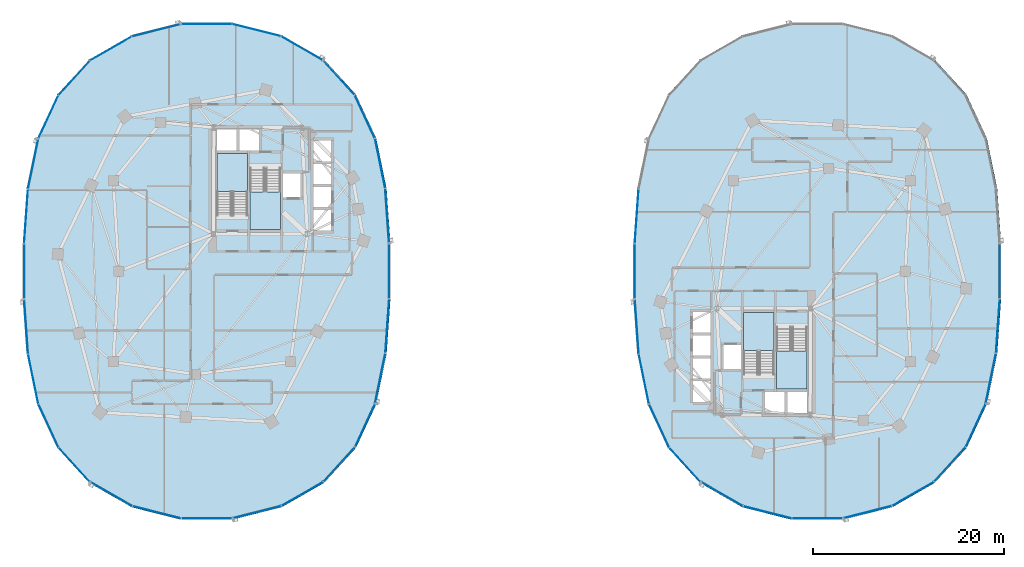
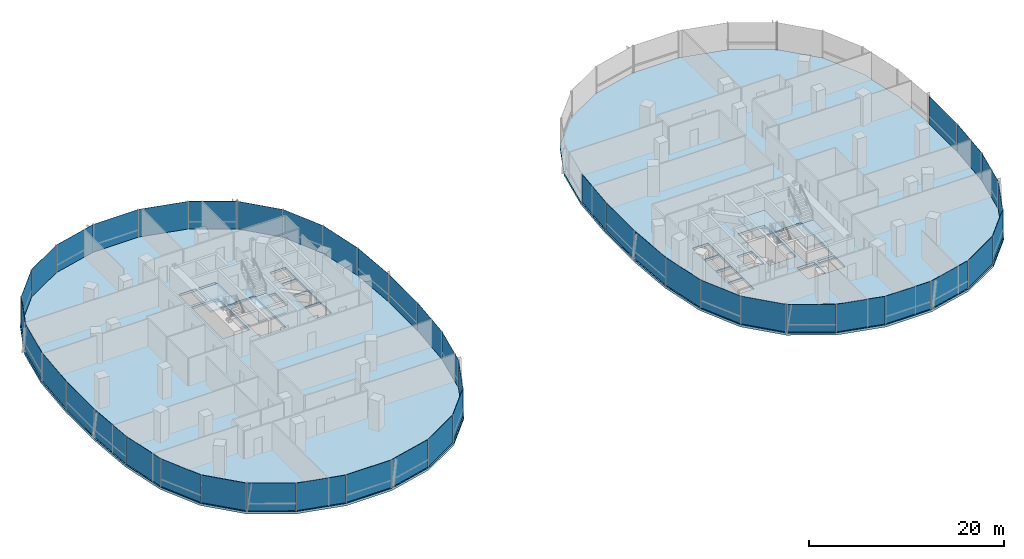
# One storey, part 9 of 22: 44 plates, 6 slabs, 11 elements without a shape of their own.
"""IFC4 building model written with IfcOpenShell, lengths in metres."""

from ifc_helpers import new_model, si_unit, direction, frame, origin, origin_2d, place, context, subcontext, project, spatial, polyline, rectangle, outline, extrude, material, layer, layer_set, type_object, element, aggregate, save


model = new_model("IFC4")

# Units and contexts
model_context = context("Model", 3, precision=1e-05, world=origin(), true_north=direction((0.0, 1.0)))
body_context = subcontext(model_context, "Body", "Model", "MODEL_VIEW")
ifc_project = project(units=[si_unit("LENGTHUNIT", "METRE"), si_unit("AREAUNIT", "SQUARE_METRE"), si_unit("VOLUMEUNIT", "CUBIC_METRE"), si_unit("PLANEANGLEUNIT", "RADIAN"), si_unit("MASSUNIT", "GRAM", prefix="KILO"), si_unit("THERMODYNAMICTEMPERATUREUNIT", "KELVIN"), si_unit("POWERUNIT", "WATT")], contexts=[model_context])

# Site, building, storey
site_placement = place(None, origin())
site = spatial("IfcSite", under=ifc_project, at=site_placement, CompositionType="ELEMENT")
building_placement = place(site_placement, origin())
building = spatial("IfcBuilding", under=site, at=building_placement, Name="Cundina Bronze Exchange", CompositionType="ELEMENT")
storey_placement = place(building_placement, frame((0.0, 0.0, 43.0)))
storey = spatial("IfcBuildingStorey", under=building, at=storey_placement, Name="L10", CompositionType="ELEMENT", Elevation=43.0)

# Curtain wall, plates
ifc_material_1 = material(Name="Anodised Bronze Aluminium 6063-T6", Category="aluminium")
curtain_wall_type = type_object("IfcCurtainWallType", Name="CWS-TRD-LOW", PredefinedType="NOTDEFINED", material=ifc_material_1)
curtain_wall_1_placement = place(storey_placement, origin())
curtain_wall_1 = element("IfcCurtainWall", 1, at=curtain_wall_1_placement, inside=storey, type_object=curtain_wall_type, Name="L10 CW-02 Curtain Wall Run CWR-L10-W1", PredefinedType="NOTDEFINED")
ifc_material_2 = material(Name="Heat-Strengthened Solar-Control Bronze Safety Glass 28mm", Category="glass")
ifc_layer_1 = layer(ifc_material_2, 0.028076171875, Name="Heat-Strengthened Solar-Control Bronze Safety Glass 28mm", Category="glass")
ifc_layer_set_1 = layer_set([ifc_layer_1], Name="Heat-Strengthened Solar-Control Bronze Safety Glass 28mm")
plate_type_1 = type_object("IfcPlateType", Name="PLT-GLZ-VIS28", PredefinedType="CURTAIN_PANEL", material=ifc_layer_set_1)
plate_1_placement = place(storey_placement, frame((-13.0732421875, 5.783935546875, 0.02001953125), z_axis=(0.0, 0.0, 1.0), x_axis=(-0.070278787473, 0.997527389113, 0.0)))
plate_1 = element("IfcPlate", 2, at=plate_1_placement, type_object=plate_type_1, Name="CW-02 Glazed Panel 1", PredefinedType="CURTAIN_PANEL", context=body_context, shape_type="SweptSolid", body=[
    extrude(rectangle(XDim=5.644287109375, YDim=0.028076171875, at=origin_2d()), origin(), (0.0, 0.0, 1.0), 3.4599609375),
])
plate_2_placement = place(storey_placement, frame((-13.81591796875, 11.269775390625, 0.02001953125), z_axis=(0.0, 0.0, 1.0), x_axis=(-0.201419845156, 0.979505000486, 0.0)))
plate_2 = element("IfcPlate", 3, at=plate_2_placement, type_object=plate_type_1, Name="CW-02 Glazed Panel 2", PredefinedType="CURTAIN_PANEL", context=body_context, shape_type="SweptSolid", body=[
    extrude(rectangle(XDim=5.306640625, YDim=0.028076171875, at=origin_2d()), origin(), (0.0, 0.0, 1.0), 3.4599609375),
])
plate_3_placement = place(storey_placement, frame((-15.413818359375, 16.177734375, 0.02001953125), z_axis=(0.0, 0.0, 1.0), x_axis=(-0.42084583328, 0.907132175932, 0.0)))
plate_3 = element("IfcPlate", 4, at=plate_3_placement, type_object=plate_type_1, Name="CW-02 Glazed Panel 3", PredefinedType="CURTAIN_PANEL", context=body_context, shape_type="SweptSolid", body=[
    extrude(rectangle(XDim=4.966552734375, YDim=0.028076171875, at=origin_2d()), origin(), (0.0, 0.0, 1.0), 3.4599609375),
])
plate_4_placement = place(storey_placement, frame((-18.1259765625, 20.267333984375, 0.02001953125), z_axis=(0.0, 0.0, 1.0), x_axis=(-0.674276610219, 0.73847887777, 0.0)))
plate_4 = element("IfcPlate", 5, at=plate_4_placement, type_object=plate_type_1, Name="CW-02 Glazed Panel 4", PredefinedType="CURTAIN_PANEL", context=body_context, shape_type="SweptSolid", body=[
    extrude(rectangle(XDim=4.86328125, YDim=0.028076171875, at=origin_2d()), origin(), (0.0, 0.0, 1.0), 3.4599609375),
])
plate_5_placement = place(storey_placement, frame((-26.744384765625, 25.256591796875, 0.02001953125), z_axis=(0.0, 0.0, 1.0), x_axis=(-0.969488149345, 0.245138182011, 0.0)))
plate_5 = element("IfcPlate", 6, at=plate_5_placement, type_object=plate_type_1, Name="CW-02 Glazed Panel 6", PredefinedType="CURTAIN_PANEL", context=body_context, shape_type="SweptSolid", body=[
    extrude(rectangle(XDim=5.2333984375, YDim=0.028076171875, at=origin_2d()), origin(), (0.0, 0.0, 1.0), 3.4599609375),
])
plate_6_placement = place(storey_placement, frame((-32.0, 25.905029296875, 0.02001953125), z_axis=(0.0, 0.0, 1.0), x_axis=(-1.0, 0.0, 0.0)))
plate_6 = element("IfcPlate", 7, at=plate_6_placement, type_object=plate_type_1, Name="CW-02 Glazed Panel 7", PredefinedType="CURTAIN_PANEL", context=body_context, shape_type="SweptSolid", body=[
    extrude(rectangle(XDim=5.323974609375, YDim=0.028076171875, at=origin_2d()), origin(), (0.0, 0.0, 1.0), 3.4599609375),
])

curtain_wall_2_placement = place(storey_placement, origin())
curtain_wall_2 = element("IfcCurtainWall", 8, at=curtain_wall_2_placement, inside=storey, type_object=curtain_wall_type, Name="L10 CW-02 Curtain Wall Run CWR-L10-W2", PredefinedType="NOTDEFINED")
plate_7_placement = place(storey_placement, frame((-37.255615234375, 25.256591796875, 0.02001953125), z_axis=(0.0, 0.0, 1.0), x_axis=(-0.969488149345, -0.245138182011, 0.0)))
plate_7 = element("IfcPlate", 9, at=plate_7_placement, type_object=plate_type_1, Name="CW-02 Glazed Panel 1", PredefinedType="CURTAIN_PANEL", context=body_context, shape_type="SweptSolid", body=[
    extrude(rectangle(XDim=5.2333984375, YDim=0.028076171875, at=origin_2d()), origin(), (0.0, 0.0, 1.0), 3.4599609375),
])
plate_8_placement = place(storey_placement, frame((-42.019287109375, 23.34423828125, 0.02001953125), z_axis=(0.0, 0.0, 1.0), x_axis=(-0.867105478933, -0.498124571171, 0.0)))
plate_8 = element("IfcPlate", 10, at=plate_8_placement, type_object=plate_type_1, Name="CW-02 Glazed Panel 2", PredefinedType="CURTAIN_PANEL", context=body_context, shape_type="SweptSolid", body=[
    extrude(rectangle(XDim=5.021240234375, YDim=0.028076171875, at=origin_2d()), origin(), (0.0, 0.0, 1.0), 3.4599609375),
])
plate_9_placement = place(storey_placement, frame((-45.8740234375, 20.267333984375, 0.02001953125), z_axis=(0.0, 0.0, 1.0), x_axis=(-0.674276610219, -0.73847887777, 0.0)))
plate_9 = element("IfcPlate", 11, at=plate_9_placement, type_object=plate_type_1, Name="CW-02 Glazed Panel 3", PredefinedType="CURTAIN_PANEL", context=body_context, shape_type="SweptSolid", body=[
    extrude(rectangle(XDim=4.86328125, YDim=0.028076171875, at=origin_2d()), origin(), (0.0, 0.0, 1.0), 3.4599609375),
])
plate_10_placement = place(storey_placement, frame((-50.18408203125, 11.269775390625, 0.02001953125), z_axis=(0.0, 0.0, 1.0), x_axis=(-0.201419845156, -0.979505000486, 0.0)))
plate_10 = element("IfcPlate", 12, at=plate_10_placement, type_object=plate_type_1, Name="CW-02 Glazed Panel 5", PredefinedType="CURTAIN_PANEL", context=body_context, shape_type="SweptSolid", body=[
    extrude(rectangle(XDim=5.306640625, YDim=0.028076171875, at=origin_2d()), origin(), (0.0, 0.0, 1.0), 3.4599609375),
])
plate_11_placement = place(storey_placement, frame((-50.9267578125, 5.783935546875, 0.02001953125), z_axis=(0.0, 0.0, 1.0), x_axis=(-0.070278787473, -0.997527389113, 0.0)))
plate_11 = element("IfcPlate", 13, at=plate_11_placement, type_object=plate_type_1, Name="CW-02 Glazed Panel 6", PredefinedType="CURTAIN_PANEL", context=body_context, shape_type="SweptSolid", body=[
    extrude(rectangle(XDim=5.644287109375, YDim=0.028076171875, at=origin_2d()), origin(), (0.0, 0.0, 1.0), 3.4599609375),
])
plate_12_placement = place(storey_placement, frame((-51.1279296875, 0.0, 0.02001953125), z_axis=(0.0, 0.0, 1.0), x_axis=(0.0, -1.0, 0.0)))
plate_12 = element("IfcPlate", 14, at=plate_12_placement, type_object=plate_type_1, Name="CW-02 Glazed Panel 7", PredefinedType="CURTAIN_PANEL", context=body_context, shape_type="SweptSolid", body=[
    extrude(rectangle(XDim=5.77587890625, YDim=0.028076171875, at=origin_2d()), origin(), (0.0, 0.0, 1.0), 3.4599609375),
])

curtain_wall_3_placement = place(storey_placement, origin())
curtain_wall_3 = element("IfcCurtainWall", 15, at=curtain_wall_3_placement, inside=storey, type_object=curtain_wall_type, Name="L10 CW-02 Curtain Wall Run CWR-L10-W3", PredefinedType="NOTDEFINED")
plate_13_placement = place(storey_placement, frame((-50.9267578125, -5.783935546875, 0.02001953125), z_axis=(0.0, 0.0, 1.0), x_axis=(0.070278787473, -0.997527389113, 0.0)))
plate_13 = element("IfcPlate", 16, at=plate_13_placement, type_object=plate_type_1, Name="CW-02 Glazed Panel 1", PredefinedType="CURTAIN_PANEL", context=body_context, shape_type="SweptSolid", body=[
    extrude(rectangle(XDim=5.644287109375, YDim=0.028076171875, at=origin_2d()), origin(), (0.0, 0.0, 1.0), 3.4599609375),
])
plate_14_placement = place(storey_placement, frame((-50.18408203125, -11.269775390625, 0.02001953125), z_axis=(0.0, 0.0, 1.0), x_axis=(0.201419845156, -0.979505000486, 0.0)))
plate_14 = element("IfcPlate", 17, at=plate_14_placement, type_object=plate_type_1, Name="CW-02 Glazed Panel 2", PredefinedType="CURTAIN_PANEL", context=body_context, shape_type="SweptSolid", body=[
    extrude(rectangle(XDim=5.306640625, YDim=0.028076171875, at=origin_2d()), origin(), (0.0, 0.0, 1.0), 3.4599609375),
])
plate_15_placement = place(storey_placement, frame((-45.8740234375, -20.267333984375, 0.02001953125), z_axis=(0.0, 0.0, 1.0), x_axis=(0.674276610219, -0.73847887777, 0.0)))
plate_15 = element("IfcPlate", 18, at=plate_15_placement, type_object=plate_type_1, Name="CW-02 Glazed Panel 4", PredefinedType="CURTAIN_PANEL", context=body_context, shape_type="SweptSolid", body=[
    extrude(rectangle(XDim=4.86328125, YDim=0.028076171875, at=origin_2d()), origin(), (0.0, 0.0, 1.0), 3.4599609375),
])
plate_16_placement = place(storey_placement, frame((-42.019287109375, -23.34423828125, 0.02001953125), z_axis=(0.0, 0.0, 1.0), x_axis=(0.867105478933, -0.498124571171, 0.0)))
plate_16 = element("IfcPlate", 19, at=plate_16_placement, type_object=plate_type_1, Name="CW-02 Glazed Panel 5", PredefinedType="CURTAIN_PANEL", context=body_context, shape_type="SweptSolid", body=[
    extrude(rectangle(XDim=5.021240234375, YDim=0.028076171875, at=origin_2d()), origin(), (0.0, 0.0, 1.0), 3.4599609375),
])
plate_17_placement = place(storey_placement, frame((-37.255615234375, -25.256591796875, 0.02001953125), z_axis=(0.0, 0.0, 1.0), x_axis=(0.969488149345, -0.245138182011, 0.0)))
plate_17 = element("IfcPlate", 20, at=plate_17_placement, type_object=plate_type_1, Name="CW-02 Glazed Panel 6", PredefinedType="CURTAIN_PANEL", context=body_context, shape_type="SweptSolid", body=[
    extrude(rectangle(XDim=5.2333984375, YDim=0.028076171875, at=origin_2d()), origin(), (0.0, 0.0, 1.0), 3.4599609375),
])
plate_18_placement = place(storey_placement, frame((-32.0, -25.905029296875, 0.02001953125), z_axis=(0.0, 0.0, 1.0), x_axis=(1.0, 0.0, 0.0)))
plate_18 = element("IfcPlate", 21, at=plate_18_placement, type_object=plate_type_1, Name="CW-02 Glazed Panel 7", PredefinedType="CURTAIN_PANEL", context=body_context, shape_type="SweptSolid", body=[
    extrude(rectangle(XDim=5.323974609375, YDim=0.028076171875, at=origin_2d()), origin(), (0.0, 0.0, 1.0), 3.4599609375),
])

curtain_wall_4_placement = place(storey_placement, origin())
curtain_wall_4 = element("IfcCurtainWall", 22, at=curtain_wall_4_placement, inside=storey, type_object=curtain_wall_type, Name="L10 CW-02 Curtain Wall Run CWR-L10-W4", PredefinedType="NOTDEFINED")
plate_19_placement = place(storey_placement, frame((-26.744384765625, -25.256591796875, 0.02001953125), z_axis=(0.0, 0.0, 1.0), x_axis=(0.969488149345, 0.245138182011, 0.0)))
plate_19 = element("IfcPlate", 23, at=plate_19_placement, type_object=plate_type_1, Name="CW-02 Glazed Panel 1", PredefinedType="CURTAIN_PANEL", context=body_context, shape_type="SweptSolid", body=[
    extrude(rectangle(XDim=5.2333984375, YDim=0.028076171875, at=origin_2d()), origin(), (0.0, 0.0, 1.0), 3.4599609375),
])
plate_20_placement = place(storey_placement, frame((-18.1259765625, -20.267333984375, 0.02001953125), z_axis=(0.0, 0.0, 1.0), x_axis=(0.674276610219, 0.73847887777, 0.0)))
plate_20 = element("IfcPlate", 24, at=plate_20_placement, type_object=plate_type_1, Name="CW-02 Glazed Panel 3", PredefinedType="CURTAIN_PANEL", context=body_context, shape_type="SweptSolid", body=[
    extrude(rectangle(XDim=4.86328125, YDim=0.028076171875, at=origin_2d()), origin(), (0.0, 0.0, 1.0), 3.4599609375),
])
plate_21_placement = place(storey_placement, frame((-15.413818359375, -16.177734375, 0.02001953125), z_axis=(0.0, 0.0, 1.0), x_axis=(0.42084583328, 0.907132175932, 0.0)))
plate_21 = element("IfcPlate", 25, at=plate_21_placement, type_object=plate_type_1, Name="CW-02 Glazed Panel 4", PredefinedType="CURTAIN_PANEL", context=body_context, shape_type="SweptSolid", body=[
    extrude(rectangle(XDim=4.966552734375, YDim=0.028076171875, at=origin_2d()), origin(), (0.0, 0.0, 1.0), 3.4599609375),
])
plate_22_placement = place(storey_placement, frame((-13.81591796875, -11.269775390625, 0.02001953125), z_axis=(0.0, 0.0, 1.0), x_axis=(0.201419845156, 0.979505000486, 0.0)))
plate_22 = element("IfcPlate", 26, at=plate_22_placement, type_object=plate_type_1, Name="CW-02 Glazed Panel 5", PredefinedType="CURTAIN_PANEL", context=body_context, shape_type="SweptSolid", body=[
    extrude(rectangle(XDim=5.306640625, YDim=0.028076171875, at=origin_2d()), origin(), (0.0, 0.0, 1.0), 3.4599609375),
])
plate_23_placement = place(storey_placement, frame((-13.0732421875, -5.783935546875, 0.02001953125), z_axis=(0.0, 0.0, 1.0), x_axis=(0.070278787473, 0.997527389113, 0.0)))
plate_23 = element("IfcPlate", 27, at=plate_23_placement, type_object=plate_type_1, Name="CW-02 Glazed Panel 6", PredefinedType="CURTAIN_PANEL", context=body_context, shape_type="SweptSolid", body=[
    extrude(rectangle(XDim=5.644287109375, YDim=0.028076171875, at=origin_2d()), origin(), (0.0, 0.0, 1.0), 3.4599609375),
])

curtain_wall_5_placement = place(storey_placement, origin())
curtain_wall_5 = element("IfcCurtainWall", 28, at=curtain_wall_5_placement, inside=storey, type_object=curtain_wall_type, Name="L10 CW-02 Curtain Wall Run CWR-L10-E2", PredefinedType="NOTDEFINED")
plate_24_placement = place(storey_placement, frame((13.0732421875, 5.783935546875, 0.02001953125), z_axis=(0.0, 0.0, 1.0), x_axis=(-0.070278787473, -0.997527389113, 0.0)))
plate_24 = element("IfcPlate", 29, at=plate_24_placement, type_object=plate_type_1, Name="CW-02 Glazed Panel 6", PredefinedType="CURTAIN_PANEL", context=body_context, shape_type="SweptSolid", body=[
    extrude(rectangle(XDim=5.644287109375, YDim=0.028076171875, at=origin_2d()), origin(), (0.0, 0.0, 1.0), 3.4599609375),
])
plate_25_placement = place(storey_placement, frame((12.8720703125, 0.0, 0.02001953125), z_axis=(0.0, 0.0, 1.0), x_axis=(0.0, -1.0, 0.0)))
plate_25 = element("IfcPlate", 30, at=plate_25_placement, type_object=plate_type_1, Name="CW-02 Glazed Panel 7", PredefinedType="CURTAIN_PANEL", context=body_context, shape_type="SweptSolid", body=[
    extrude(rectangle(XDim=5.77587890625, YDim=0.028076171875, at=origin_2d()), origin(), (0.0, 0.0, 1.0), 3.4599609375),
])
aggregate(curtain_wall_5, [plate_24, plate_25])

curtain_wall_6_placement = place(storey_placement, origin())
curtain_wall_6 = element("IfcCurtainWall", 31, at=curtain_wall_6_placement, inside=storey, type_object=curtain_wall_type, Name="L10 CW-02 Curtain Wall Run CWR-L10-E3", PredefinedType="NOTDEFINED")
plate_26_placement = place(storey_placement, frame((13.0732421875, -5.783935546875, 0.02001953125), z_axis=(0.0, 0.0, 1.0), x_axis=(0.070278787473, -0.997527389113, 0.0)))
plate_26 = element("IfcPlate", 32, at=plate_26_placement, type_object=plate_type_1, Name="CW-02 Glazed Panel 1", PredefinedType="CURTAIN_PANEL", context=body_context, shape_type="SweptSolid", body=[
    extrude(rectangle(XDim=5.644287109375, YDim=0.028076171875, at=origin_2d()), origin(), (0.0, 0.0, 1.0), 3.4599609375),
])
plate_27_placement = place(storey_placement, frame((13.81591796875, -11.269775390625, 0.02001953125), z_axis=(0.0, 0.0, 1.0), x_axis=(0.201419845156, -0.979505000486, 0.0)))
plate_27 = element("IfcPlate", 33, at=plate_27_placement, type_object=plate_type_1, Name="CW-02 Glazed Panel 2", PredefinedType="CURTAIN_PANEL", context=body_context, shape_type="SweptSolid", body=[
    extrude(rectangle(XDim=5.306640625, YDim=0.028076171875, at=origin_2d()), origin(), (0.0, 0.0, 1.0), 3.4599609375),
])
plate_28_placement = place(storey_placement, frame((18.1259765625, -20.267333984375, 0.02001953125), z_axis=(0.0, 0.0, 1.0), x_axis=(0.674276610219, -0.73847887777, 0.0)))
plate_28 = element("IfcPlate", 34, at=plate_28_placement, type_object=plate_type_1, Name="CW-02 Glazed Panel 4", PredefinedType="CURTAIN_PANEL", context=body_context, shape_type="SweptSolid", body=[
    extrude(rectangle(XDim=4.86328125, YDim=0.028076171875, at=origin_2d()), origin(), (0.0, 0.0, 1.0), 3.4599609375),
])
plate_29_placement = place(storey_placement, frame((21.980712890625, -23.34423828125, 0.02001953125), z_axis=(0.0, 0.0, 1.0), x_axis=(0.867105478933, -0.498124571171, 0.0)))
plate_29 = element("IfcPlate", 35, at=plate_29_placement, type_object=plate_type_1, Name="CW-02 Glazed Panel 5", PredefinedType="CURTAIN_PANEL", context=body_context, shape_type="SweptSolid", body=[
    extrude(rectangle(XDim=5.021240234375, YDim=0.028076171875, at=origin_2d()), origin(), (0.0, 0.0, 1.0), 3.4599609375),
])
plate_30_placement = place(storey_placement, frame((26.744384765625, -25.256591796875, 0.02001953125), z_axis=(0.0, 0.0, 1.0), x_axis=(0.969488149345, -0.245138182011, 0.0)))
plate_30 = element("IfcPlate", 36, at=plate_30_placement, type_object=plate_type_1, Name="CW-02 Glazed Panel 6", PredefinedType="CURTAIN_PANEL", context=body_context, shape_type="SweptSolid", body=[
    extrude(rectangle(XDim=5.2333984375, YDim=0.028076171875, at=origin_2d()), origin(), (0.0, 0.0, 1.0), 3.4599609375),
])
plate_31_placement = place(storey_placement, frame((32.0, -25.905029296875, 0.02001953125), z_axis=(0.0, 0.0, 1.0), x_axis=(1.0, 0.0, 0.0)))
plate_31 = element("IfcPlate", 37, at=plate_31_placement, type_object=plate_type_1, Name="CW-02 Glazed Panel 7", PredefinedType="CURTAIN_PANEL", context=body_context, shape_type="SweptSolid", body=[
    extrude(rectangle(XDim=5.323974609375, YDim=0.028076171875, at=origin_2d()), origin(), (0.0, 0.0, 1.0), 3.4599609375),
])

curtain_wall_7_placement = place(storey_placement, origin())
curtain_wall_7 = element("IfcCurtainWall", 38, at=curtain_wall_7_placement, inside=storey, type_object=curtain_wall_type, Name="L10 CW-02 Curtain Wall Run CWR-L10-E4", PredefinedType="NOTDEFINED")
plate_32_placement = place(storey_placement, frame((37.255615234375, -25.256591796875, 0.02001953125), z_axis=(0.0, 0.0, 1.0), x_axis=(0.969488149345, 0.245138182011, 0.0)))
plate_32 = element("IfcPlate", 39, at=plate_32_placement, type_object=plate_type_1, Name="CW-02 Glazed Panel 1", PredefinedType="CURTAIN_PANEL", context=body_context, shape_type="SweptSolid", body=[
    extrude(rectangle(XDim=5.2333984375, YDim=0.028076171875, at=origin_2d()), origin(), (0.0, 0.0, 1.0), 3.4599609375),
])
plate_33_placement = place(storey_placement, frame((45.8740234375, -20.267333984375, 0.02001953125), z_axis=(0.0, 0.0, 1.0), x_axis=(0.674276610219, 0.73847887777, 0.0)))
plate_33 = element("IfcPlate", 40, at=plate_33_placement, type_object=plate_type_1, Name="CW-02 Glazed Panel 3", PredefinedType="CURTAIN_PANEL", context=body_context, shape_type="SweptSolid", body=[
    extrude(rectangle(XDim=4.86328125, YDim=0.028076171875, at=origin_2d()), origin(), (0.0, 0.0, 1.0), 3.4599609375),
])
plate_34_placement = place(storey_placement, frame((48.586181640625, -16.177734375, 0.02001953125), z_axis=(0.0, 0.0, 1.0), x_axis=(0.42084583328, 0.907132175932, 0.0)))
plate_34 = element("IfcPlate", 41, at=plate_34_placement, type_object=plate_type_1, Name="CW-02 Glazed Panel 4", PredefinedType="CURTAIN_PANEL", context=body_context, shape_type="SweptSolid", body=[
    extrude(rectangle(XDim=4.966552734375, YDim=0.028076171875, at=origin_2d()), origin(), (0.0, 0.0, 1.0), 3.4599609375),
])
plate_35_placement = place(storey_placement, frame((50.18408203125, -11.269775390625, 0.02001953125), z_axis=(0.0, 0.0, 1.0), x_axis=(0.201419845156, 0.979505000486, 0.0)))
plate_35 = element("IfcPlate", 42, at=plate_35_placement, type_object=plate_type_1, Name="CW-02 Glazed Panel 5", PredefinedType="CURTAIN_PANEL", context=body_context, shape_type="SweptSolid", body=[
    extrude(rectangle(XDim=5.306640625, YDim=0.028076171875, at=origin_2d()), origin(), (0.0, 0.0, 1.0), 3.4599609375),
])
plate_36_placement = place(storey_placement, frame((50.9267578125, -5.783935546875, 0.02001953125), z_axis=(0.0, 0.0, 1.0), x_axis=(0.070278787473, 0.997527389113, 0.0)))
plate_36 = element("IfcPlate", 43, at=plate_36_placement, type_object=plate_type_1, Name="CW-02 Glazed Panel 6", PredefinedType="CURTAIN_PANEL", context=body_context, shape_type="SweptSolid", body=[
    extrude(rectangle(XDim=5.644287109375, YDim=0.028076171875, at=origin_2d()), origin(), (0.0, 0.0, 1.0), 3.4599609375),
])

# Plate
ifc_material_3 = material(Name="Dark Bronze Spandrel Glass Panel 32mm", Category="glass")
ifc_layer_2 = layer(ifc_material_3, 0.031982421875, Name="Dark Bronze Spandrel Glass Panel 32mm", Category="glass")
ifc_layer_set_2 = layer_set([ifc_layer_2], Name="Dark Bronze Spandrel Glass Panel 32mm")
plate_type_2 = type_object("IfcPlateType", Name="PLT-SPN-BRZ32", PredefinedType="CURTAIN_PANEL", material=ifc_layer_set_2)
plate_37_placement = place(storey_placement, frame((-21.980712890625, 23.34423828125, 0.02001953125), z_axis=(0.0, 0.0, 1.0), x_axis=(-0.867105478933, 0.498124571171, 0.0)))
plate_37 = element("IfcPlate", 44, at=plate_37_placement, type_object=plate_type_2, Name="CW-02 Glazed Panel 5", PredefinedType="CURTAIN_PANEL", context=body_context, shape_type="SweptSolid", body=[
    extrude(rectangle(XDim=5.021240234375, YDim=0.031982421875, at=origin_2d()), origin(), (0.0, 0.0, 1.0), 3.4599609375),
])

aggregate(curtain_wall_1, [plate_1, plate_2, plate_3, plate_4, plate_37, plate_5, plate_6])

plate_38_placement = place(storey_placement, frame((-48.586181640625, 16.177734375, 0.02001953125), z_axis=(0.0, 0.0, 1.0), x_axis=(-0.42084583328, -0.907132175932, 0.0)))
plate_38 = element("IfcPlate", 45, at=plate_38_placement, type_object=plate_type_2, Name="CW-02 Glazed Panel 4", PredefinedType="CURTAIN_PANEL", context=body_context, shape_type="SweptSolid", body=[
    extrude(rectangle(XDim=4.966552734375, YDim=0.031982421875, at=origin_2d()), origin(), (0.0, 0.0, 1.0), 3.4599609375),
])

aggregate(curtain_wall_2, [plate_7, plate_8, plate_9, plate_38, plate_10, plate_11, plate_12])

plate_39_placement = place(storey_placement, frame((-48.586181640625, -16.177734375, 0.02001953125), z_axis=(0.0, 0.0, 1.0), x_axis=(0.42084583328, -0.907132175932, 0.0)))
plate_39 = element("IfcPlate", 46, at=plate_39_placement, type_object=plate_type_2, Name="CW-02 Glazed Panel 3", PredefinedType="CURTAIN_PANEL", context=body_context, shape_type="SweptSolid", body=[
    extrude(rectangle(XDim=4.966552734375, YDim=0.031982421875, at=origin_2d()), origin(), (0.0, 0.0, 1.0), 3.4599609375),
])

aggregate(curtain_wall_3, [plate_13, plate_14, plate_39, plate_15, plate_16, plate_17, plate_18])

plate_40_placement = place(storey_placement, frame((-21.980712890625, -23.34423828125, 0.02001953125), z_axis=(0.0, 0.0, 1.0), x_axis=(0.867105478933, 0.498124571171, 0.0)))
plate_40 = element("IfcPlate", 47, at=plate_40_placement, type_object=plate_type_2, Name="CW-02 Glazed Panel 2", PredefinedType="CURTAIN_PANEL", context=body_context, shape_type="SweptSolid", body=[
    extrude(rectangle(XDim=5.021240234375, YDim=0.031982421875, at=origin_2d()), origin(), (0.0, 0.0, 1.0), 3.4599609375),
])

plate_41_placement = place(storey_placement, frame((-12.8720703125, 0.0, 0.02001953125), z_axis=(0.0, 0.0, 1.0), x_axis=(0.0, 1.0, 0.0)))
plate_41 = element("IfcPlate", 48, at=plate_41_placement, type_object=plate_type_2, Name="CW-02 Glazed Panel 7", PredefinedType="CURTAIN_PANEL", context=body_context, shape_type="SweptSolid", body=[
    extrude(rectangle(XDim=5.77587890625, YDim=0.031982421875, at=origin_2d()), origin(), (0.0, 0.0, 1.0), 3.4599609375),
])

aggregate(curtain_wall_4, [plate_19, plate_40, plate_20, plate_21, plate_22, plate_23, plate_41])

plate_42_placement = place(storey_placement, frame((15.413818359375, -16.177734375, 0.02001953125), z_axis=(0.0, 0.0, 1.0), x_axis=(0.42084583328, -0.907132175932, 0.0)))
plate_42 = element("IfcPlate", 49, at=plate_42_placement, type_object=plate_type_2, Name="CW-02 Glazed Panel 3", PredefinedType="CURTAIN_PANEL", context=body_context, shape_type="SweptSolid", body=[
    extrude(rectangle(XDim=4.966552734375, YDim=0.031982421875, at=origin_2d()), origin(), (0.0, 0.0, 1.0), 3.4599609375),
])

aggregate(curtain_wall_6, [plate_26, plate_27, plate_42, plate_28, plate_29, plate_30, plate_31])

plate_43_placement = place(storey_placement, frame((42.019287109375, -23.34423828125, 0.02001953125), z_axis=(0.0, 0.0, 1.0), x_axis=(0.867105478933, 0.498124571171, 0.0)))
plate_43 = element("IfcPlate", 50, at=plate_43_placement, type_object=plate_type_2, Name="CW-02 Glazed Panel 2", PredefinedType="CURTAIN_PANEL", context=body_context, shape_type="SweptSolid", body=[
    extrude(rectangle(XDim=5.021240234375, YDim=0.031982421875, at=origin_2d()), origin(), (0.0, 0.0, 1.0), 3.4599609375),
])

plate_44_placement = place(storey_placement, frame((51.1279296875, 0.0, 0.02001953125), z_axis=(0.0, 0.0, 1.0), x_axis=(0.0, 1.0, 0.0)))
plate_44 = element("IfcPlate", 51, at=plate_44_placement, type_object=plate_type_2, Name="CW-02 Glazed Panel 7", PredefinedType="CURTAIN_PANEL", context=body_context, shape_type="SweptSolid", body=[
    extrude(rectangle(XDim=5.77587890625, YDim=0.031982421875, at=origin_2d()), origin(), (0.0, 0.0, 1.0), 3.4599609375),
])

aggregate(curtain_wall_7, [plate_32, plate_43, plate_33, plate_34, plate_35, plate_36, plate_44])

# Stair, slab
ifc_material_4 = material(Name="Concrete C40/50", Category="concrete")
stair_type = type_object("IfcStairType", Name="STR-TRD-380", PredefinedType="HALF_TURN_STAIR", material=ifc_material_4)
stair_1_placement = place(storey_placement, origin())
stair_1 = element("IfcStair", 52, at=stair_1_placement, inside=storey, type_object=stair_type, Name="L10 Smokeproof Exit Stair W1", PredefinedType="HALF_TURN_STAIR")
ifc_layer_3 = layer(ifc_material_4, 0.199951171875, Name="Concrete C40/50", Category="concrete")
ifc_layer_set_3 = layer_set([ifc_layer_3], Name="Concrete C40/50")
slab_type_1 = type_object("IfcSlabType", Name="SLB-LND-200", PredefinedType="LANDING", material=ifc_layer_set_3)
slab_1_placement = place(storey_placement, frame((0.0, 0.0, 1.699951171875)))
slab_1 = element("IfcSlab", 53, at=slab_1_placement, type_object=slab_type_1, Name="ST-W1 landing 1", PredefinedType="LANDING", context=body_context, shape_type="SweptSolid", body=[
    extrude(outline(polyline([(-27.739990234375, 8.3701171875), (-27.739990234375, 12.35009765625), (-30.89990234375, 12.35009765625), (-30.89990234375, 8.3701171875), (-27.739990234375, 8.3701171875)])), origin(), (0.0, 0.0, 1.0), 0.199951171875),
])
aggregate(stair_1, [slab_1])

stair_2_placement = place(storey_placement, origin())
stair_2 = element("IfcStair", 54, at=stair_2_placement, inside=storey, type_object=stair_type, Name="L10 Smokeproof Exit Stair W2", PredefinedType="HALF_TURN_STAIR")
slab_2_placement = place(storey_placement, frame((0.0, 0.0, 1.699951171875)))
slab_2 = element("IfcSlab", 55, at=slab_2_placement, type_object=slab_type_1, Name="ST-W2 landing 1", PredefinedType="LANDING", context=body_context, shape_type="SweptSolid", body=[
    extrude(outline(polyline([(-27.43994140625, 8.330078125), (-27.43994140625, 4.35009765625), (-24.280029296875, 4.35009765625), (-24.280029296875, 8.330078125), (-27.43994140625, 8.330078125)])), origin(), (0.0, 0.0, 1.0), 0.199951171875),
])
aggregate(stair_2, [slab_2])

stair_3_placement = place(storey_placement, origin())
stair_3 = element("IfcStair", 56, at=stair_3_placement, inside=storey, type_object=stair_type, Name="L10 Smokeproof Exit Stair E1", PredefinedType="HALF_TURN_STAIR")
slab_3_placement = place(storey_placement, frame((0.0, 0.0, 1.699951171875)))
slab_3 = element("IfcSlab", 57, at=slab_3_placement, type_object=slab_type_1, Name="ST-E1 landing 1", PredefinedType="LANDING", context=body_context, shape_type="SweptSolid", body=[
    extrude(outline(polyline([(27.739990234375, -8.3701171875), (27.739990234375, -12.35009765625), (30.89990234375, -12.35009765625), (30.89990234375, -8.3701171875), (27.739990234375, -8.3701171875)])), origin(), (0.0, 0.0, 1.0), 0.199951171875),
])
aggregate(stair_3, [slab_3])

stair_4_placement = place(storey_placement, origin())
stair_4 = element("IfcStair", 58, at=stair_4_placement, inside=storey, type_object=stair_type, Name="L10 Smokeproof Exit Stair E2", PredefinedType="HALF_TURN_STAIR")
slab_4_placement = place(storey_placement, frame((0.0, 0.0, 1.699951171875)))
slab_4 = element("IfcSlab", 59, at=slab_4_placement, type_object=slab_type_1, Name="ST-E2 landing 1", PredefinedType="LANDING", context=body_context, shape_type="SweptSolid", body=[
    extrude(outline(polyline([(27.43994140625, -8.330078125), (27.43994140625, -4.35009765625), (24.280029296875, -4.35009765625), (24.280029296875, -8.330078125), (27.43994140625, -8.330078125)])), origin(), (0.0, 0.0, 1.0), 0.199951171875),
])
aggregate(stair_4, [slab_4])

# Slabs
ifc_material_5 = material(Name="Concrete C50/60", Category="concrete")
ifc_layer_4 = layer(ifc_material_5, 0.300048828125, Name="Concrete C50/60", Category="concrete")
ifc_layer_set_4 = layer_set([ifc_layer_4], Name="Concrete C50/60")
slab_type_2 = type_object("IfcSlabType", Name="SLB-TRD-300", PredefinedType="FLOOR", material=ifc_layer_set_4)
slab_5_placement = place(storey_placement, frame((0.0, 0.0, -0.300048828125)))
element("IfcSlab", 60, at=slab_5_placement, inside=storey, type_object=slab_type_2, Name="L10 Leg W Structural Floor Slab", PredefinedType="FLOOR", context=body_context, shape_type="SweptSolid", body=[
    extrude(outline(polyline([(-12.741943359375, 2.93310546875), (-13.14501953125, 8.653076171875), (-14.23193359375, 13.93896484375), (-16.360107421875, 18.52587890625), (-19.699951171875, 22.18408203125), (-24.132080078125, 24.72998046875), (-29.29296875, 26.034912109375), (-34.70703125, 26.034912109375), (-39.867919921875, 24.72998046875), (-44.300048828125, 22.18408203125), (-47.639892578125, 18.52587890625), (-49.76806640625, 13.93896484375), (-50.85498046875, 8.653076171875), (-51.258056640625, 2.93310546875), (-51.258056640625, -2.93310546875), (-50.85498046875, -8.653076171875), (-49.76806640625, -13.93896484375), (-47.639892578125, -18.52587890625), (-44.300048828125, -22.18408203125), (-39.867919921875, -24.72998046875), (-34.70703125, -26.034912109375), (-29.29296875, -26.034912109375), (-24.132080078125, -24.72998046875), (-19.699951171875, -22.18408203125), (-16.360107421875, -18.52587890625), (-14.23193359375, -13.93896484375), (-13.14501953125, -8.653076171875), (-12.741943359375, -2.93310546875), (-12.741943359375, 2.93310546875)]), holes=[polyline([(-27.739990234375, 5.85009765625), (-27.739990234375, 12.35009765625), (-30.89990234375, 12.35009765625), (-30.89990234375, 5.85009765625), (-27.739990234375, 5.85009765625)]), polyline([(-27.43994140625, 10.85009765625), (-27.43994140625, 4.35009765625), (-24.280029296875, 4.35009765625), (-24.280029296875, 10.85009765625), (-27.43994140625, 10.85009765625)]), polyline([(-23.97998046875, 10.25), (-22.179931640625, 10.25), (-22.179931640625, 7.75), (-23.97998046875, 7.75), (-23.97998046875, 10.25)]), polyline([(-30.89990234375, 14.949951171875), (-28.85009765625, 14.949951171875), (-28.85009765625, 12.64990234375), (-30.89990234375, 12.64990234375), (-30.89990234375, 14.949951171875)]), polyline([(-28.550048828125, 14.949951171875), (-26.5, 14.949951171875), (-26.5, 12.64990234375), (-28.550048828125, 12.64990234375), (-28.550048828125, 14.949951171875)]), polyline([(-20.800048828125, 13.699951171875), (-18.949951171875, 13.699951171875), (-18.949951171875, 11.449951171875), (-20.800048828125, 11.449951171875), (-20.800048828125, 13.699951171875)]), polyline([(-20.800048828125, 11.300048828125), (-18.949951171875, 11.300048828125), (-18.949951171875, 9.050048828125), (-20.800048828125, 9.050048828125), (-20.800048828125, 11.300048828125)]), polyline([(-20.800048828125, 8.89990234375), (-18.949951171875, 8.89990234375), (-18.949951171875, 6.64990234375), (-20.800048828125, 6.64990234375), (-20.800048828125, 8.89990234375)]), polyline([(-20.800048828125, 6.5), (-18.949951171875, 6.5), (-18.949951171875, 4.25), (-20.800048828125, 4.25), (-20.800048828125, 6.5)])]), origin(), (0.0, 0.0, 1.0), 0.300048828125),
])
slab_6_placement = place(storey_placement, frame((0.0, 0.0, -0.300048828125)))
element("IfcSlab", 61, at=slab_6_placement, inside=storey, type_object=slab_type_2, Name="L10 Leg E Structural Floor Slab", PredefinedType="FLOOR", context=body_context, shape_type="SweptSolid", body=[
    extrude(outline(polyline([(51.258056640625, 2.93310546875), (50.85498046875, 8.653076171875), (49.76806640625, 13.93896484375), (47.639892578125, 18.52587890625), (44.300048828125, 22.18408203125), (39.867919921875, 24.72998046875), (34.70703125, 26.034912109375), (29.29296875, 26.034912109375), (24.132080078125, 24.72998046875), (19.699951171875, 22.18408203125), (16.360107421875, 18.52587890625), (14.23193359375, 13.93896484375), (13.14501953125, 8.653076171875), (12.741943359375, 2.93310546875), (12.741943359375, -2.93310546875), (13.14501953125, -8.653076171875), (14.23193359375, -13.93896484375), (16.360107421875, -18.52587890625), (19.699951171875, -22.18408203125), (24.132080078125, -24.72998046875), (29.29296875, -26.034912109375), (34.70703125, -26.034912109375), (39.867919921875, -24.72998046875), (44.300048828125, -22.18408203125), (47.639892578125, -18.52587890625), (49.76806640625, -13.93896484375), (50.85498046875, -8.653076171875), (51.258056640625, -2.93310546875), (51.258056640625, 2.93310546875)]), holes=[polyline([(27.739990234375, -5.85009765625), (27.739990234375, -12.35009765625), (30.89990234375, -12.35009765625), (30.89990234375, -5.85009765625), (27.739990234375, -5.85009765625)]), polyline([(27.43994140625, -10.85009765625), (27.43994140625, -4.35009765625), (24.280029296875, -4.35009765625), (24.280029296875, -10.85009765625), (27.43994140625, -10.85009765625)]), polyline([(22.179931640625, -7.75), (23.97998046875, -7.75), (23.97998046875, -10.25), (22.179931640625, -10.25), (22.179931640625, -7.75)]), polyline([(28.85009765625, -12.64990234375), (30.89990234375, -12.64990234375), (30.89990234375, -14.949951171875), (28.85009765625, -14.949951171875), (28.85009765625, -12.64990234375)]), polyline([(26.5, -12.64990234375), (28.550048828125, -12.64990234375), (28.550048828125, -14.949951171875), (26.5, -14.949951171875), (26.5, -12.64990234375)]), polyline([(18.949951171875, -11.449951171875), (20.800048828125, -11.449951171875), (20.800048828125, -13.699951171875), (18.949951171875, -13.699951171875), (18.949951171875, -11.449951171875)]), polyline([(18.949951171875, -9.050048828125), (20.800048828125, -9.050048828125), (20.800048828125, -11.300048828125), (18.949951171875, -11.300048828125), (18.949951171875, -9.050048828125)]), polyline([(18.949951171875, -6.64990234375), (20.800048828125, -6.64990234375), (20.800048828125, -8.89990234375), (18.949951171875, -8.89990234375), (18.949951171875, -6.64990234375)]), polyline([(18.949951171875, -4.25), (20.800048828125, -4.25), (20.800048828125, -6.5), (18.949951171875, -6.5), (18.949951171875, -4.25)])]), origin(), (0.0, 0.0, 1.0), 0.300048828125),
])

save(model, "model.ifc")
